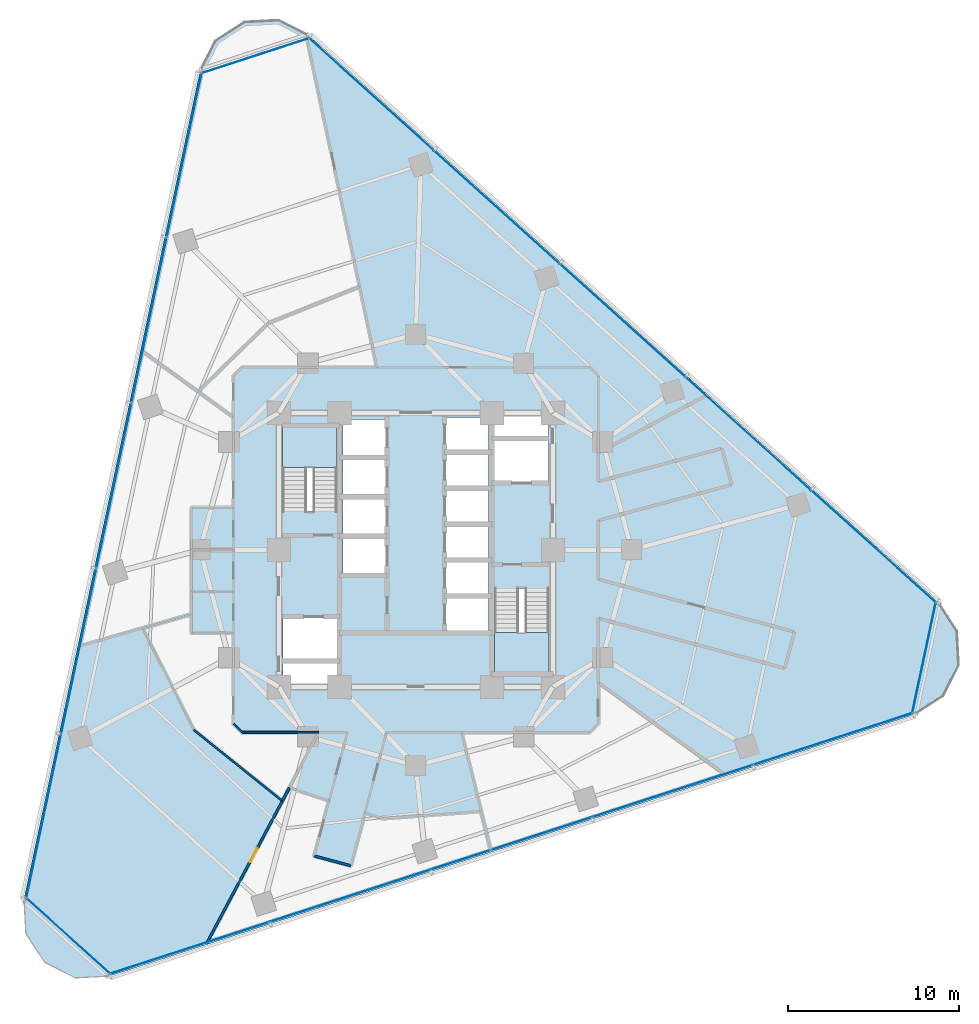
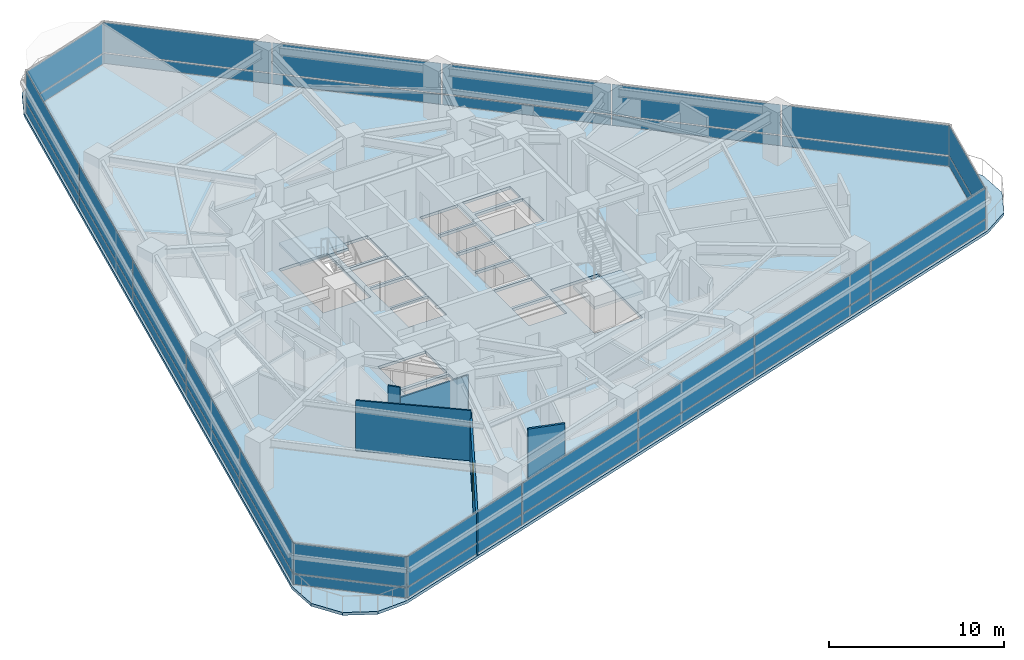
# One storey, part 6 of 13: 36 plates, 6 walls, 3 slabs, 1 door, 1 opening, 8 elements without a shape of their own.
"""IFC4 building model written with IfcOpenShell, lengths in metres."""

from ifc_helpers import new_model, si_unit, direction, frame, frame_2d, origin, origin_2d, place, context, subcontext, project, spatial, polyline, rectangle, outline, extrude, material, layer, layer_set, type_object, element, fill, aggregate, save


model = new_model("IFC4")

# Units and contexts
model_context = context("Model", 3, precision=1e-05, world=origin(), true_north=direction((0.0, 1.0)))
body_context = subcontext(model_context, "Body", "Model", "MODEL_VIEW")
ifc_project = project(units=[si_unit("LENGTHUNIT", "METRE"), si_unit("AREAUNIT", "SQUARE_METRE"), si_unit("VOLUMEUNIT", "CUBIC_METRE"), si_unit("PLANEANGLEUNIT", "RADIAN"), si_unit("MASSUNIT", "GRAM", prefix="KILO")], contexts=[model_context])

# Site, building, storey
site_placement = place(None, origin())
site = spatial("IfcSite", under=ifc_project, at=site_placement, CompositionType="ELEMENT")
building_placement = place(site_placement, origin())
building = spatial("IfcBuilding", under=site, at=building_placement, Name="Terralouvre Media Tower", CompositionType="ELEMENT")
storey_placement = place(building_placement, frame((0.0, 0.0, 94.0)))
storey = spatial("IfcBuildingStorey", under=building, at=storey_placement, Name="L23", CompositionType="ELEMENT", Elevation=94.0)

# Slab
ifc_material_1 = material(Name="Concrete C40/50", Category="concrete")
ifc_layer_1 = layer(ifc_material_1, 0.199951171875, Name="Composite Tower Floor Slab S-TYP200")
ifc_layer_set_1 = layer_set([ifc_layer_1], Name="Concrete C40/50")
slab_type_1 = type_object("IfcSlabType", Name="Composite Tower Floor Slab S-TYP200", PredefinedType="FLOOR", material=ifc_layer_set_1)
slab_1_placement = place(storey_placement, frame((0.0, 0.0, -0.199951171875), z_axis=(0.0, 0.0, 1.0), x_axis=(0.951056516295, 0.309016994375, 0.0)))
element("IfcSlab", 1, at=slab_1_placement, inside=storey, type_object=slab_type_1, Name="L23 Structural Floor Slab", PredefinedType="FLOOR", context=body_context, shape_type="SweptSolid", body=[
    extrude(outline(polyline([(-28.080078125, -12.33203125), (-28.60009765625, -14.272216796875), (-28.080078125, -16.212158203125), (-26.659912109375, -17.63232421875), (-24.719970703125, -18.152099609375), (24.719970703125, -18.152099609375), (26.659912109375, -17.63232421875), (28.080078125, -16.212158203125), (28.60009765625, -14.272216796875), (28.080078125, -12.33203125), (3.360107421875, 30.484130859375), (1.93994140625, 31.904296875), (0.0, 32.424072265625), (-1.93994140625, 31.904296875), (-3.360107421875, 30.484130859375), (-28.080078125, -12.33203125)]), holes=[polyline([(-6.78515625, -5.996826171875), (-9.781005859375, -5.0234375), (-9.41015625, -3.882080078125), (-6.414306640625, -4.85546875), (-6.78515625, -5.996826171875)]), polyline([(-6.3525390625, -4.665283203125), (-9.348388671875, -3.69189453125), (-8.59130859375, -1.36181640625), (-5.595458984375, -2.335205078125), (-6.3525390625, -4.665283203125)]), polyline([(-2.103271484375, -0.809814453125), (-4.480712890625, -0.037109375), (-3.819580078125, 1.998046875), (-1.44189453125, 1.2255859375), (-2.103271484375, -0.809814453125)]), polyline([(-1.392333984375, 1.377685546875), (-3.77001953125, 2.150146484375), (-3.108642578125, 4.185546875), (-0.731201171875, 3.4130859375), (-1.392333984375, 1.377685546875)]), polyline([(4.5302734375, 0.189453125), (2.152587890625, 0.9619140625), (2.752197265625, 2.806884765625), (5.129638671875, 2.034423828125), (4.5302734375, 0.189453125)]), polyline([(-0.681640625, 3.565185546875), (-3.059326171875, 4.337646484375), (-2.39794921875, 6.373046875), (-0.020263671875, 5.600341796875), (-0.681640625, 3.565185546875)]), polyline([(-3.68115234375, 3.556640625), (-6.70556640625, 4.539306640625), (-5.15576171875, 9.308837890625), (-2.13134765625, 8.326171875), (-3.68115234375, 3.556640625)]), polyline([(0.029052734375, 5.752685546875), (-2.3486328125, 6.525146484375), (-1.687255859375, 8.560302734375), (0.6904296875, 7.787841796875), (0.029052734375, 5.752685546875)]), polyline([(3.68115234375, -3.556640625), (6.70556640625, -4.539306640625), (5.15576171875, -9.308837890625), (2.13134765625, -8.326171875), (3.68115234375, -3.556640625)]), polyline([(2.58349609375, -5.80224609375), (0.205810546875, -5.02978515625), (0.80517578125, -3.184814453125), (3.182861328125, -3.957275390625), (2.58349609375, -5.80224609375)]), polyline([(3.232421875, -3.80517578125), (0.854736328125, -3.032470703125), (1.4541015625, -1.1875), (3.831787109375, -1.9599609375), (3.232421875, -3.80517578125)]), polyline([(3.88134765625, -1.807861328125), (1.503662109375, -1.035400390625), (2.103271484375, 0.809814453125), (4.480712890625, 0.037109375), (3.88134765625, -1.807861328125)]), polyline([(5.17919921875, 2.1865234375), (2.801513671875, 2.959228515625), (3.401123046875, 4.80419921875), (5.778564453125, 4.031494140625), (5.17919921875, 2.1865234375)]), polyline([(8.59130859375, 1.36181640625), (5.595458984375, 2.335205078125), (6.3525390625, 4.665283203125), (9.348388671875, 3.69189453125), (8.59130859375, 1.36181640625)]), polyline([(5.828125, 4.183837890625), (3.450439453125, 4.956298828125), (4.050048828125, 6.80126953125), (6.427490234375, 6.02880859375), (5.828125, 4.183837890625)]), polyline([(9.41015625, 3.882080078125), (6.414306640625, 4.85546875), (6.78515625, 5.996826171875), (9.781005859375, 5.0234375), (9.41015625, 3.882080078125)])]), origin(), (0.0, 0.0, 1.0), 0.199951171875),
])

# Stair, slab
ifc_material_2 = material(Name="Concrete C45/55", Category="concrete")
stair_type_1 = type_object("IfcStairType", Name="Dogleg Stair Assembly ST-01", PredefinedType="HALF_TURN_STAIR", material=ifc_material_2)
stair_1_placement = place(storey_placement, origin())
stair_1 = element("IfcStair", 2, at=stair_1_placement, inside=storey, type_object=stair_type_1, Name="L23 Core Pressurised Exit Stair ST-01", PredefinedType="HALF_TURN_STAIR")
ifc_material_3 = material(Name="Concrete C45/55", Category="concrete")
ifc_layer_2 = layer(ifc_material_3, 0.199951171875, Name="Reinforced Concrete Stair Half-Landing SL-LD1")
ifc_layer_set_2 = layer_set([ifc_layer_2], Name="Concrete C45/55")
slab_type_2 = type_object("IfcSlabType", Name="Reinforced Concrete Stair Half-Landing SL-LD1", PredefinedType="LANDING", material=ifc_layer_set_2)
slab_2_placement = place(storey_placement, frame((0.0, 0.0, 1.64990234375)))
slab_2 = element("IfcSlab", 3, at=slab_2_placement, type_object=slab_type_2, Name="ST-01 landing 1", PredefinedType="LANDING", context=body_context, shape_type="SweptSolid", body=[
    extrude(outline(polyline([(-4.60009765625, 4.820068359375), (-4.60009765625, 7.260009765625), (-7.780029296875, 7.260009765625), (-7.780029296875, 4.820068359375), (-4.60009765625, 4.820068359375)])), origin(), (0.0, 0.0, 1.0), 0.2001953125),
])
aggregate(stair_1, [slab_2])

ifc_material_4 = material(Name="Concrete C45/55", Category="concrete")
stair_type_2 = type_object("IfcStairType", Name="Dogleg Stair Assembly ST-02", PredefinedType="HALF_TURN_STAIR", material=ifc_material_4)
stair_2_placement = place(storey_placement, origin())
stair_2 = element("IfcStair", 4, at=stair_2_placement, inside=storey, type_object=stair_type_2, Name="L23 Core Pressurised Exit Stair ST-02", PredefinedType="HALF_TURN_STAIR")
slab_3_placement = place(storey_placement, frame((0.0, 0.0, 1.64990234375)))
slab_3 = element("IfcSlab", 5, at=slab_3_placement, type_object=slab_type_2, Name="ST-02 landing 1", PredefinedType="LANDING", context=body_context, shape_type="SweptSolid", body=[
    extrude(outline(polyline([(4.60009765625, -4.820068359375), (4.60009765625, -7.260009765625), (7.780029296875, -7.260009765625), (7.780029296875, -4.820068359375), (4.60009765625, -4.820068359375)])), origin(), (0.0, 0.0, 1.0), 0.2001953125),
])
aggregate(stair_2, [slab_3])

# Curtain wall, plates
ifc_material_5 = material(Name="Low-iron laminated double glazing with solar-control coating", Category="glass")
ifc_layer_3 = layer(ifc_material_5, 0.1650390625, Name="Rounded Wind-Corner Curved Glazing CW-04")
ifc_layer_set_3 = layer_set([ifc_layer_3], Name="Low-iron laminated double glazing with solar-control coating")
curtain_wall_type_1 = type_object("IfcCurtainWallType", Name="Rounded Wind-Corner Curved Glazing CW-04", PredefinedType="NOTDEFINED", material=ifc_layer_set_3)
curtain_wall_1_placement = place(storey_placement, origin())
curtain_wall_1 = element("IfcCurtainWall", 6, at=curtain_wall_1_placement, inside=storey, type_object=curtain_wall_type_1, Name="L23 Rounded Wind-Corner Curtain Wall C0", PredefinedType="NOTDEFINED")
ifc_material_6 = material(Name="Low-iron laminated double glazing with solar-control coating", Category="glass")
ifc_layer_4 = layer(ifc_material_6, 0.0400390625, Name="Rounded Corner Laminated Vision Panel CWP-03")
ifc_layer_set_4 = layer_set([ifc_layer_4], Name="Low-iron laminated double glazing with solar-control coating")
plate_type_1 = type_object("IfcPlateType", Name="Rounded Corner Laminated Vision Panel CWP-03", PredefinedType="CURTAIN_PANEL", material=ifc_layer_set_4)
plate_1_placement = place(storey_placement, frame((-20.30419921875, -22.550048828125, 0.074951171875), z_axis=(0.0, 0.0, 1.0), x_axis=(0.743144668471, -0.669130780732, 0.0)))
plate_1 = element("IfcPlate", 7, at=plate_1_placement, type_object=plate_type_1, Name="CW-04 panel 1.1", PredefinedType="CURTAIN_PANEL", context=body_context, shape_type="SweptSolid", body=[
    extrude(rectangle(XDim=6.5703125, YDim=0.035888671875, at=origin_2d()), origin(), (0.0, 0.0, 1.0), 0.6875),
])
plate_2_placement = place(storey_placement, frame((-20.30419921875, -22.550048828125, 0.837646484375), z_axis=(0.0, 0.0, 1.0), x_axis=(0.743144668471, -0.669130780732, 0.0)))
plate_2 = element("IfcPlate", 8, at=plate_2_placement, type_object=plate_type_1, Name="CW-04 panel 1.2", PredefinedType="CURTAIN_PANEL", context=body_context, shape_type="SweptSolid", body=[
    extrude(rectangle(XDim=6.5703125, YDim=0.035888671875, at=origin_2d()), origin(), (0.0, 0.0, 1.0), 2.08740234375),
])
aggregate(curtain_wall_1, [plate_1, plate_2])

curtain_wall_2_placement = place(storey_placement, origin())
curtain_wall_2 = element("IfcCurtainWall", 9, at=curtain_wall_2_placement, inside=storey, type_object=curtain_wall_type_1, Name="L23 Rounded Wind-Corner Curtain Wall C1", PredefinedType="NOTDEFINED")
plate_3_placement = place(storey_placement, frame((29.68115234375, -6.308837890625, 0.074951171875), z_axis=(0.0, 0.0, 1.0), x_axis=(0.207911611348, 0.978147617626, 0.0)))
plate_3 = element("IfcPlate", 10, at=plate_3_placement, type_object=plate_type_1, Name="CW-04 panel 1.1", PredefinedType="CURTAIN_PANEL", context=body_context, shape_type="SweptSolid", body=[
    extrude(rectangle(XDim=6.5703125, YDim=0.035888671875, at=origin_2d()), origin(), (0.0, 0.0, 1.0), 0.6875),
])
plate_4_placement = place(storey_placement, frame((29.68115234375, -6.308837890625, 0.837646484375), z_axis=(0.0, 0.0, 1.0), x_axis=(0.207911611348, 0.978147617626, 0.0)))
plate_4 = element("IfcPlate", 11, at=plate_4_placement, type_object=plate_type_1, Name="CW-04 panel 1.2", PredefinedType="CURTAIN_PANEL", context=body_context, shape_type="SweptSolid", body=[
    extrude(rectangle(XDim=6.5703125, YDim=0.035888671875, at=origin_2d()), origin(), (0.0, 0.0, 1.0), 2.08740234375),
])
aggregate(curtain_wall_2, [plate_3, plate_4])

curtain_wall_3_placement = place(storey_placement, origin())
curtain_wall_3 = element("IfcCurtainWall", 12, at=curtain_wall_3_placement, inside=storey, type_object=curtain_wall_type_1, Name="L23 Rounded Wind-Corner Curtain Wall C2", PredefinedType="NOTDEFINED")
plate_5_placement = place(storey_placement, frame((-9.376953125, 28.859130859375, 0.074951171875), z_axis=(0.0, 0.0, 1.0), x_axis=(-0.951056286408, -0.309017701894, 0.0)))
plate_5 = element("IfcPlate", 13, at=plate_5_placement, type_object=plate_type_1, Name="CW-04 panel 1.1", PredefinedType="CURTAIN_PANEL", context=body_context, shape_type="SweptSolid", body=[
    extrude(rectangle(XDim=6.5703125, YDim=0.035888671875, at=origin_2d()), origin(), (0.0, 0.0, 1.0), 0.6875),
])
plate_6_placement = place(storey_placement, frame((-9.376953125, 28.859130859375, 0.837646484375), z_axis=(0.0, 0.0, 1.0), x_axis=(-0.951056286408, -0.309017701894, 0.0)))
plate_6 = element("IfcPlate", 14, at=plate_6_placement, type_object=plate_type_1, Name="CW-04 panel 1.2", PredefinedType="CURTAIN_PANEL", context=body_context, shape_type="SweptSolid", body=[
    extrude(rectangle(XDim=6.5703125, YDim=0.035888671875, at=origin_2d()), origin(), (0.0, 0.0, 1.0), 2.08740234375),
])
aggregate(curtain_wall_3, [plate_5, plate_6])

ifc_material_7 = material(Name="Low-iron laminated double glazing with solar-control coating", Category="glass")
ifc_layer_5 = layer(ifc_material_7, 0.1650390625, Name="Lower Media Tower Unitised Curtain Wall CW-02")
ifc_layer_set_5 = layer_set([ifc_layer_5], Name="Low-iron laminated double glazing with solar-control coating")
curtain_wall_type_2 = type_object("IfcCurtainWallType", Name="Lower Media Tower Unitised Curtain Wall CW-02", PredefinedType="NOTDEFINED", material=ifc_layer_set_5)
curtain_wall_4_placement = place(storey_placement, origin())
curtain_wall_4 = element("IfcCurtainWall", 15, at=curtain_wall_4_placement, inside=storey, type_object=curtain_wall_type_2, Name="L23 Facade Curtain Wall F0", PredefinedType="NOTDEFINED")
ifc_material_8 = material(Name="Low-iron laminated double glazing with solar-control coating", Category="glass")
ifc_layer_6 = layer(ifc_material_8, 0.035888671875, Name="Vision Double-Glazed Unit CWP-01")
ifc_layer_set_6 = layer_set([ifc_layer_6], Name="Low-iron laminated double glazing with solar-control coating")
plate_type_2 = type_object("IfcPlateType", Name="Vision Double-Glazed Unit CWP-01", PredefinedType="CURTAIN_PANEL", material=ifc_layer_set_6)
plate_7_placement = place(storey_placement, frame((-13.218017578125, -23.2548828125, 0.074951171875), z_axis=(0.0, 0.0, 1.0), x_axis=(0.951056509451, 0.309017015439, 0.0)))
plate_7 = element("IfcPlate", 16, at=plate_7_placement, type_object=plate_type_2, Name="CW-02 panel 1.1", PredefinedType="CURTAIN_PANEL", context=body_context, shape_type="SweptSolid", body=[
    extrude(rectangle(XDim=9.775390625, YDim=0.035888671875, at=origin_2d()), origin(), (0.0, 0.0, 1.0), 0.6875),
])
plate_8_placement = place(storey_placement, frame((-13.218017578125, -23.2548828125, 0.837646484375), z_axis=(0.0, 0.0, 1.0), x_axis=(0.951056509451, 0.309017015439, 0.0)))
plate_8 = element("IfcPlate", 17, at=plate_8_placement, type_object=plate_type_2, Name="CW-02 panel 1.2", PredefinedType="CURTAIN_PANEL", context=body_context, shape_type="SweptSolid", body=[
    extrude(rectangle(XDim=9.775390625, YDim=0.035888671875, at=origin_2d()), origin(), (0.0, 0.0, 1.0), 2.08740234375),
])
plate_9_placement = place(storey_placement, frame((-3.831787109375, -20.205078125, 0.074951171875), z_axis=(0.0, 0.0, 1.0), x_axis=(0.951056509451, 0.309017015439, 0.0)))
plate_9 = element("IfcPlate", 18, at=plate_9_placement, type_object=plate_type_2, Name="CW-02 panel 2.1", PredefinedType="CURTAIN_PANEL", context=body_context, shape_type="SweptSolid", body=[
    extrude(rectangle(XDim=9.81298828125, YDim=0.035888671875, at=origin_2d()), origin(), (0.0, 0.0, 1.0), 0.6875),
])
plate_10_placement = place(storey_placement, frame((-3.831787109375, -20.205078125, 0.837646484375), z_axis=(0.0, 0.0, 1.0), x_axis=(0.951056509451, 0.309017015439, 0.0)))
plate_10 = element("IfcPlate", 19, at=plate_10_placement, type_object=plate_type_2, Name="CW-02 panel 2.2", PredefinedType="CURTAIN_PANEL", context=body_context, shape_type="SweptSolid", body=[
    extrude(rectangle(XDim=9.81298828125, YDim=0.035888671875, at=origin_2d()), origin(), (0.0, 0.0, 1.0), 2.08740234375),
])
plate_11_placement = place(storey_placement, frame((5.572265625, -17.149658203125, 0.074951171875), z_axis=(0.0, 0.0, 1.0), x_axis=(0.951056509451, 0.309017015439, 0.0)))
plate_11 = element("IfcPlate", 20, at=plate_11_placement, type_object=plate_type_2, Name="CW-02 panel 3.1", PredefinedType="CURTAIN_PANEL", context=body_context, shape_type="SweptSolid", body=[
    extrude(rectangle(XDim=9.81298828125, YDim=0.035888671875, at=origin_2d()), origin(), (0.0, 0.0, 1.0), 0.6875),
])
plate_12_placement = place(storey_placement, frame((5.572265625, -17.149658203125, 0.837646484375), z_axis=(0.0, 0.0, 1.0), x_axis=(0.951056509451, 0.309017015439, 0.0)))
plate_12 = element("IfcPlate", 21, at=plate_12_placement, type_object=plate_type_2, Name="CW-02 panel 3.2", PredefinedType="CURTAIN_PANEL", context=body_context, shape_type="SweptSolid", body=[
    extrude(rectangle(XDim=9.81298828125, YDim=0.035888671875, at=origin_2d()), origin(), (0.0, 0.0, 1.0), 2.08740234375),
])
plate_13_placement = place(storey_placement, frame((14.976318359375, -14.093994140625, 0.074951171875), z_axis=(0.0, 0.0, 1.0), x_axis=(0.951056509451, 0.309017015439, 0.0)))
plate_13 = element("IfcPlate", 22, at=plate_13_placement, type_object=plate_type_2, Name="CW-02 panel 4.1", PredefinedType="CURTAIN_PANEL", context=body_context, shape_type="SweptSolid", body=[
    extrude(rectangle(XDim=9.81298828125, YDim=0.035888671875, at=origin_2d()), origin(), (0.0, 0.0, 1.0), 0.6875),
])
plate_14_placement = place(storey_placement, frame((14.976318359375, -14.093994140625, 0.837646484375), z_axis=(0.0, 0.0, 1.0), x_axis=(0.951056509451, 0.309017015439, 0.0)))
plate_14 = element("IfcPlate", 23, at=plate_14_placement, type_object=plate_type_2, Name="CW-02 panel 4.2", PredefinedType="CURTAIN_PANEL", context=body_context, shape_type="SweptSolid", body=[
    extrude(rectangle(XDim=9.81298828125, YDim=0.035888671875, at=origin_2d()), origin(), (0.0, 0.0, 1.0), 2.08740234375),
])
plate_15_placement = place(storey_placement, frame((24.362548828125, -11.044189453125, 0.074951171875), z_axis=(0.0, 0.0, 1.0), x_axis=(0.951056509451, 0.309017015439, 0.0)))
plate_15 = element("IfcPlate", 24, at=plate_15_placement, type_object=plate_type_2, Name="CW-02 panel 5.1", PredefinedType="CURTAIN_PANEL", context=body_context, shape_type="SweptSolid", body=[
    extrude(rectangle(XDim=9.775390625, YDim=0.035888671875, at=origin_2d()), origin(), (0.0, 0.0, 1.0), 0.6875),
])
plate_16_placement = place(storey_placement, frame((24.362548828125, -11.044189453125, 0.837646484375), z_axis=(0.0, 0.0, 1.0), x_axis=(0.951056509451, 0.309017015439, 0.0)))
plate_16 = element("IfcPlate", 25, at=plate_16_placement, type_object=plate_type_2, Name="CW-02 panel 5.2", PredefinedType="CURTAIN_PANEL", context=body_context, shape_type="SweptSolid", body=[
    extrude(rectangle(XDim=9.775390625, YDim=0.035888671875, at=origin_2d()), origin(), (0.0, 0.0, 1.0), 2.08740234375),
])
aggregate(curtain_wall_4, [plate_7, plate_8, plate_9, plate_10, plate_11, plate_12, plate_13, plate_14, plate_15, plate_16])

curtain_wall_5_placement = place(storey_placement, origin())
curtain_wall_5 = element("IfcCurtainWall", 26, at=curtain_wall_5_placement, inside=storey, type_object=curtain_wall_type_2, Name="L23 Facade Curtain Wall F1", PredefinedType="NOTDEFINED")
plate_17_placement = place(storey_placement, frame((26.748291015625, 0.18017578125, 0.074951171875), z_axis=(0.0, 0.0, 1.0), x_axis=(-0.743144795545, 0.669130639602, 0.0)))
plate_17 = element("IfcPlate", 27, at=plate_17_placement, type_object=plate_type_2, Name="CW-02 panel 1.1", PredefinedType="CURTAIN_PANEL", context=body_context, shape_type="SweptSolid", body=[
    extrude(rectangle(XDim=9.775390625, YDim=0.035888671875, at=origin_2d()), origin(), (0.0, 0.0, 1.0), 0.6875),
])
plate_18_placement = place(storey_placement, frame((26.748291015625, 0.18017578125, 0.837646484375), z_axis=(0.0, 0.0, 1.0), x_axis=(-0.743144795545, 0.669130639602, 0.0)))
plate_18 = element("IfcPlate", 28, at=plate_18_placement, type_object=plate_type_2, Name="CW-02 panel 1.2", PredefinedType="CURTAIN_PANEL", context=body_context, shape_type="SweptSolid", body=[
    extrude(rectangle(XDim=9.775390625, YDim=0.035888671875, at=origin_2d()), origin(), (0.0, 0.0, 1.0), 2.08740234375),
])
plate_19_placement = place(storey_placement, frame((19.4140625, 6.7841796875, 0.074951171875), z_axis=(0.0, 0.0, 1.0), x_axis=(-0.743144795545, 0.669130639602, 0.0)))
plate_19 = element("IfcPlate", 29, at=plate_19_placement, type_object=plate_type_2, Name="CW-02 panel 2.1", PredefinedType="CURTAIN_PANEL", context=body_context, shape_type="SweptSolid", body=[
    extrude(rectangle(XDim=9.81298828125, YDim=0.035888671875, at=origin_2d()), origin(), (0.0, 0.0, 1.0), 0.6875),
])
plate_20_placement = place(storey_placement, frame((19.4140625, 6.7841796875, 0.837646484375), z_axis=(0.0, 0.0, 1.0), x_axis=(-0.743144795545, 0.669130639602, 0.0)))
plate_20 = element("IfcPlate", 30, at=plate_20_placement, type_object=plate_type_2, Name="CW-02 panel 2.2", PredefinedType="CURTAIN_PANEL", context=body_context, shape_type="SweptSolid", body=[
    extrude(rectangle(XDim=9.81298828125, YDim=0.035888671875, at=origin_2d()), origin(), (0.0, 0.0, 1.0), 2.08740234375),
])
plate_21_placement = place(storey_placement, frame((12.06591796875, 13.400390625, 0.074951171875), z_axis=(0.0, 0.0, 1.0), x_axis=(-0.743144795545, 0.669130639602, 0.0)))
plate_21 = element("IfcPlate", 31, at=plate_21_placement, type_object=plate_type_2, Name="CW-02 panel 3.1", PredefinedType="CURTAIN_PANEL", context=body_context, shape_type="SweptSolid", body=[
    extrude(rectangle(XDim=9.81298828125, YDim=0.035888671875, at=origin_2d()), origin(), (0.0, 0.0, 1.0), 0.6875),
])
plate_22_placement = place(storey_placement, frame((12.06591796875, 13.400390625, 0.837646484375), z_axis=(0.0, 0.0, 1.0), x_axis=(-0.743144795545, 0.669130639602, 0.0)))
plate_22 = element("IfcPlate", 32, at=plate_22_placement, type_object=plate_type_2, Name="CW-02 panel 3.2", PredefinedType="CURTAIN_PANEL", context=body_context, shape_type="SweptSolid", body=[
    extrude(rectangle(XDim=9.81298828125, YDim=0.035888671875, at=origin_2d()), origin(), (0.0, 0.0, 1.0), 2.08740234375),
])
plate_23_placement = place(storey_placement, frame((4.717529296875, 20.016845703125, 0.074951171875), z_axis=(0.0, 0.0, 1.0), x_axis=(-0.743144795545, 0.669130639602, 0.0)))
plate_23 = element("IfcPlate", 33, at=plate_23_placement, type_object=plate_type_2, Name="CW-02 panel 4.1", PredefinedType="CURTAIN_PANEL", context=body_context, shape_type="SweptSolid", body=[
    extrude(rectangle(XDim=9.81298828125, YDim=0.035888671875, at=origin_2d()), origin(), (0.0, 0.0, 1.0), 0.6875),
])
plate_24_placement = place(storey_placement, frame((4.717529296875, 20.016845703125, 0.837646484375), z_axis=(0.0, 0.0, 1.0), x_axis=(-0.743144795545, 0.669130639602, 0.0)))
plate_24 = element("IfcPlate", 34, at=plate_24_placement, type_object=plate_type_2, Name="CW-02 panel 4.2", PredefinedType="CURTAIN_PANEL", context=body_context, shape_type="SweptSolid", body=[
    extrude(rectangle(XDim=9.81298828125, YDim=0.035888671875, at=origin_2d()), origin(), (0.0, 0.0, 1.0), 2.08740234375),
])
plate_25_placement = place(storey_placement, frame((-2.61669921875, 26.62060546875, 0.074951171875), z_axis=(0.0, 0.0, 1.0), x_axis=(-0.743144795545, 0.669130639602, 0.0)))
plate_25 = element("IfcPlate", 35, at=plate_25_placement, type_object=plate_type_2, Name="CW-02 panel 5.1", PredefinedType="CURTAIN_PANEL", context=body_context, shape_type="SweptSolid", body=[
    extrude(rectangle(XDim=9.775390625, YDim=0.035888671875, at=origin_2d()), origin(), (0.0, 0.0, 1.0), 0.6875),
])
plate_26_placement = place(storey_placement, frame((-2.61669921875, 26.62060546875, 0.837646484375), z_axis=(0.0, 0.0, 1.0), x_axis=(-0.743144795545, 0.669130639602, 0.0)))
plate_26 = element("IfcPlate", 36, at=plate_26_placement, type_object=plate_type_2, Name="CW-02 panel 5.2", PredefinedType="CURTAIN_PANEL", context=body_context, shape_type="SweptSolid", body=[
    extrude(rectangle(XDim=9.775390625, YDim=0.035888671875, at=origin_2d()), origin(), (0.0, 0.0, 1.0), 2.08740234375),
])
aggregate(curtain_wall_5, [plate_17, plate_18, plate_19, plate_20, plate_21, plate_22, plate_23, plate_24, plate_25, plate_26])

curtain_wall_6_placement = place(storey_placement, origin())
curtain_wall_6 = element("IfcCurtainWall", 37, at=curtain_wall_6_placement, inside=storey, type_object=curtain_wall_type_2, Name="L23 Facade Curtain Wall F2", PredefinedType="NOTDEFINED")
plate_27_placement = place(storey_placement, frame((-13.5302734375, 23.07470703125, 0.074951171875), z_axis=(0.0, 0.0, 1.0), x_axis=(-0.207911643887, -0.978147610709, 0.0)))
plate_27 = element("IfcPlate", 38, at=plate_27_placement, type_object=plate_type_2, Name="CW-02 panel 1.1", PredefinedType="CURTAIN_PANEL", context=body_context, shape_type="SweptSolid", body=[
    extrude(rectangle(XDim=9.775390625, YDim=0.035888671875, at=origin_2d()), origin(), (0.0, 0.0, 1.0), 0.6875),
])
plate_28_placement = place(storey_placement, frame((-13.5302734375, 23.07470703125, 0.837646484375), z_axis=(0.0, 0.0, 1.0), x_axis=(-0.207911643887, -0.978147610709, 0.0)))
plate_28 = element("IfcPlate", 39, at=plate_28_placement, type_object=plate_type_2, Name="CW-02 panel 1.2", PredefinedType="CURTAIN_PANEL", context=body_context, shape_type="SweptSolid", body=[
    extrude(rectangle(XDim=9.775390625, YDim=0.035888671875, at=origin_2d()), origin(), (0.0, 0.0, 1.0), 2.08740234375),
])
plate_29_placement = place(storey_placement, frame((-15.582275390625, 13.4208984375, 0.074951171875), z_axis=(0.0, 0.0, 1.0), x_axis=(-0.207911643887, -0.978147610709, 0.0)))
plate_29 = element("IfcPlate", 40, at=plate_29_placement, type_object=plate_type_2, Name="CW-02 panel 2.1", PredefinedType="CURTAIN_PANEL", context=body_context, shape_type="SweptSolid", body=[
    extrude(rectangle(XDim=9.81298828125, YDim=0.035888671875, at=origin_2d()), origin(), (0.0, 0.0, 1.0), 0.6875),
])
plate_30_placement = place(storey_placement, frame((-15.582275390625, 13.4208984375, 0.837646484375), z_axis=(0.0, 0.0, 1.0), x_axis=(-0.207911643887, -0.978147610709, 0.0)))
plate_30 = element("IfcPlate", 41, at=plate_30_placement, type_object=plate_type_2, Name="CW-02 panel 2.2", PredefinedType="CURTAIN_PANEL", context=body_context, shape_type="SweptSolid", body=[
    extrude(rectangle(XDim=9.81298828125, YDim=0.035888671875, at=origin_2d()), origin(), (0.0, 0.0, 1.0), 2.08740234375),
])
plate_31_placement = place(storey_placement, frame((-17.637939453125, 3.7490234375, 0.074951171875), z_axis=(0.0, 0.0, 1.0), x_axis=(-0.207911643887, -0.978147610709, 0.0)))
plate_31 = element("IfcPlate", 42, at=plate_31_placement, type_object=plate_type_2, Name="CW-02 panel 3.1", PredefinedType="CURTAIN_PANEL", context=body_context, shape_type="SweptSolid", body=[
    extrude(rectangle(XDim=9.81298828125, YDim=0.035888671875, at=origin_2d()), origin(), (0.0, 0.0, 1.0), 0.6875),
])
plate_32_placement = place(storey_placement, frame((-17.637939453125, 3.7490234375, 0.837646484375), z_axis=(0.0, 0.0, 1.0), x_axis=(-0.207911643887, -0.978147610709, 0.0)))
plate_32 = element("IfcPlate", 43, at=plate_32_placement, type_object=plate_type_2, Name="CW-02 panel 3.2", PredefinedType="CURTAIN_PANEL", context=body_context, shape_type="SweptSolid", body=[
    extrude(rectangle(XDim=9.81298828125, YDim=0.035888671875, at=origin_2d()), origin(), (0.0, 0.0, 1.0), 2.08740234375),
])
plate_33_placement = place(storey_placement, frame((-19.69384765625, -5.9228515625, 0.074951171875), z_axis=(0.0, 0.0, 1.0), x_axis=(-0.207911643887, -0.978147610709, 0.0)))
plate_33 = element("IfcPlate", 44, at=plate_33_placement, type_object=plate_type_2, Name="CW-02 panel 4.1", PredefinedType="CURTAIN_PANEL", context=body_context, shape_type="SweptSolid", body=[
    extrude(rectangle(XDim=9.81298828125, YDim=0.035888671875, at=origin_2d()), origin(), (0.0, 0.0, 1.0), 0.6875),
])
plate_34_placement = place(storey_placement, frame((-19.69384765625, -5.9228515625, 0.837646484375), z_axis=(0.0, 0.0, 1.0), x_axis=(-0.207911643887, -0.978147610709, 0.0)))
plate_34 = element("IfcPlate", 45, at=plate_34_placement, type_object=plate_type_2, Name="CW-02 panel 4.2", PredefinedType="CURTAIN_PANEL", context=body_context, shape_type="SweptSolid", body=[
    extrude(rectangle(XDim=9.81298828125, YDim=0.035888671875, at=origin_2d()), origin(), (0.0, 0.0, 1.0), 2.08740234375),
])
plate_35_placement = place(storey_placement, frame((-21.745849609375, -15.576416015625, 0.074951171875), z_axis=(0.0, 0.0, 1.0), x_axis=(-0.207911643887, -0.978147610709, 0.0)))
plate_35 = element("IfcPlate", 46, at=plate_35_placement, type_object=plate_type_2, Name="CW-02 panel 5.1", PredefinedType="CURTAIN_PANEL", context=body_context, shape_type="SweptSolid", body=[
    extrude(rectangle(XDim=9.775390625, YDim=0.035888671875, at=origin_2d()), origin(), (0.0, 0.0, 1.0), 0.6875),
])
plate_36_placement = place(storey_placement, frame((-21.745849609375, -15.576416015625, 0.837646484375), z_axis=(0.0, 0.0, 1.0), x_axis=(-0.207911643887, -0.978147610709, 0.0)))
plate_36 = element("IfcPlate", 47, at=plate_36_placement, type_object=plate_type_2, Name="CW-02 panel 5.2", PredefinedType="CURTAIN_PANEL", context=body_context, shape_type="SweptSolid", body=[
    extrude(rectangle(XDim=9.775390625, YDim=0.035888671875, at=origin_2d()), origin(), (0.0, 0.0, 1.0), 2.08740234375),
])
aggregate(curtain_wall_6, [plate_27, plate_28, plate_29, plate_30, plate_31, plate_32, plate_33, plate_34, plate_35, plate_36])

# Walls
ifc_material_9 = material(Name="Low-iron laminated double glazing with solar-control coating", Category="glass")
ifc_layer_7 = layer(ifc_material_9, 0.10009765625, Name="Demountable Glazed Office Partition PT-GL100")
ifc_layer_set_7 = layer_set([ifc_layer_7], Name="Low-iron laminated double glazing with solar-control coating")
wall_type_1 = type_object("IfcWallType", Name="Demountable Glazed Office Partition PT-GL100", PredefinedType="MOVABLE", material=ifc_layer_set_7)
wall_1_placement = place(storey_placement, frame((-10.64990234375, -10.14990234375, 0.0), z_axis=(0.0, 0.0, 1.0), x_axis=(0.707106781187, -0.707106781187, 0.0)))
element("IfcWall", 48, at=wall_1_placement, inside=storey, type_object=wall_type_1, Name="L23 Interior Partition 020", PredefinedType="MOVABLE", context=body_context, shape_type="SweptSolid", body=[
    extrude(rectangle(XDim=0.70703125, YDim=0.10009765625, at=frame_2d((0.353515625, 0.0))), origin(), (0.0, 0.0, 1.0), 3.5),
])
wall_2_placement = place(storey_placement, frame((-10.14990234375, -10.64990234375, 0.0), z_axis=(0.0, 0.0, 1.0), x_axis=(1.0, 0.0, 0.0)))
element("IfcWall", 49, at=wall_2_placement, inside=storey, type_object=wall_type_1, Name="L23 Interior Partition 021", PredefinedType="MOVABLE", context=body_context, shape_type="SweptSolid", body=[
    extrude(rectangle(XDim=4.48681640625, YDim=0.10009765625, at=frame_2d((2.243408203125, 0.0))), origin(), (0.0, 0.0, 1.0), 2.784912109375),
])
wall_3_placement = place(storey_placement, frame((-12.97802734375, -10.510009765625, 0.0), z_axis=(0.0, 0.0, 1.0), x_axis=(0.779852762203, -0.625962993543, 0.0)))
element("IfcWall", 50, at=wall_3_placement, inside=storey, type_object=wall_type_1, Name="L23 Interior Partition 050", PredefinedType="MOVABLE", context=body_context, shape_type="SweptSolid", body=[
    extrude(rectangle(XDim=6.640869140625, YDim=0.10009765625, at=frame_2d((3.3203125, 0.0))), origin(), (0.0, 0.0, 1.0), 3.5),
])
ifc_material_10 = material(Name="Fire-rated gypsum board drywall partition")
ifc_layer_8 = layer(ifc_material_10, 0.135009765625, Name="Newsroom Acoustic Partition PT-135")
ifc_layer_set_8 = layer_set([ifc_layer_8], Name="Fire-rated gypsum board drywall partition")
wall_type_2 = type_object("IfcWallType", Name="Newsroom Acoustic Partition PT-135", PredefinedType="PARTITIONING", material=ifc_layer_set_8)
wall_4_placement = place(storey_placement, frame((-5.927978515625, -17.875, 0.0), z_axis=(0.0, 0.0, 1.0), x_axis=(0.965959937537, -0.258691706618, 0.0)))
element("IfcWall", 51, at=wall_4_placement, inside=storey, type_object=wall_type_2, Name="L23 Interior Partition 013", PredefinedType="PARTITIONING", context=body_context, shape_type="SweptSolid", body=[
    extrude(rectangle(XDim=2.199951171875, YDim=0.135009765625, at=frame_2d((1.10009765625, 0.0))), origin(), (0.0, 0.0, 1.0), 3.5),
])
wall_5_placement = place(storey_placement, frame((-7.382080078125, -13.883056640625, 0.0), z_axis=(0.0, 0.0, 1.0), x_axis=(-0.469617532863, -0.882869963714, 0.0)))
element("IfcWall", 52, at=wall_5_placement, inside=storey, type_object=wall_type_2, Name="L23 Interior Partition 039", PredefinedType="PARTITIONING", context=body_context, shape_type="SweptSolid", body=[
    extrude(rectangle(XDim=0.887939453125, YDim=0.135009765625, at=frame_2d((0.44384765625, 0.0))), origin(), (0.0, 0.0, 1.0), 2.784912109375),
])

# Wall, opening, door
wall_6_placement = place(storey_placement, frame((-7.799072265625, -14.6669921875, 0.0), z_axis=(0.0, 0.0, 1.0), x_axis=(-0.469441180524, -0.882963746723, 0.0)))
wall_6 = element("IfcWall", 53, at=wall_6_placement, inside=storey, type_object=wall_type_2, Name="L23 Interior Partition 040", PredefinedType="PARTITIONING", context=body_context, shape_type="SweptSolid", body=[
    extrude(rectangle(XDim=9.404296875, YDim=0.135009765625, at=frame_2d((4.7021484375, 0.0))), origin(), (0.0, 0.0, 1.0), 2.93505859375),
])
opening_placement = place(wall_6_placement, frame((3.11376953125, 0.0, 0.0)))
opening = element("IfcOpeningElement", 54, at=opening_placement, cuts=wall_6, Name="Opening ID-03-92X210", PredefinedType="OPENING", context=body_context, shape_type="SweptSolid", body=[
    extrude(rectangle(XDim=0.919921875, YDim=2.10009765625, at=frame_2d((0.4599609375, 1.050048828125))), frame((0.0, 0.077392578125, 0.0), z_axis=(0.0, -1.0, 0.0), x_axis=(1.0, 0.0, 0.0)), (0.0, 0.0, 1.0), 0.155029296875),
])
ifc_material_11 = material(Name="Engineered hardwood acoustic timber leaf", Category="wood")
door_type = type_object("IfcDoorType", Name="Accessible Restroom and Suite Door ID-03 (920x2100)", OperationType="NOTDEFINED", PredefinedType="DOOR", material=ifc_material_11)
door_placement = place(opening_placement, origin())
door = element("IfcDoor", 55, at=door_placement, inside=storey, type_object=door_type, Name="L23 Media Ingest Storage 6 Door", OperationType="SINGLE_SWING_RIGHT", OverallHeight=2.10009765625, OverallWidth=0.919921875, PredefinedType="DOOR", context=body_context, shape_type="SweptSolid", body=[
    extrude(rectangle(XDim=0.919921875, YDim=2.10009765625, at=frame_2d((0.4599609375, 1.050048828125))), frame((0.0, 0.02490234375, 0.0), z_axis=(0.0, -1.0, 0.0), x_axis=(1.0, 0.0, 0.0)), (0.0, 0.0, 1.0), 0.050048828125),
])
fill(opening, door)

save(model, "model.ifc")
